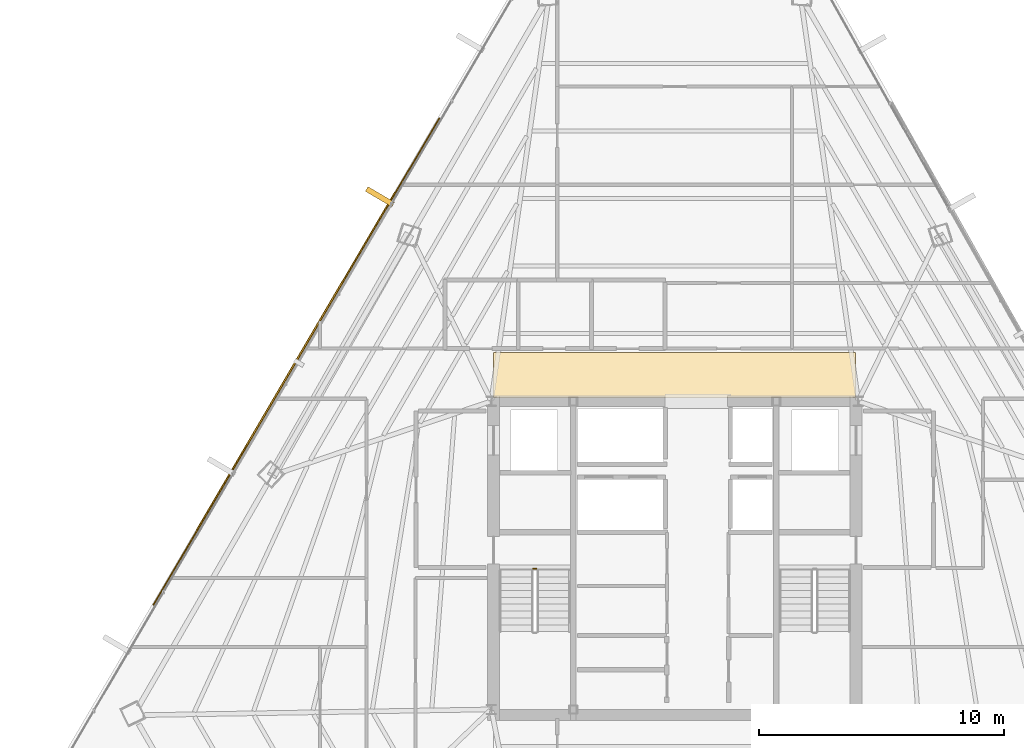
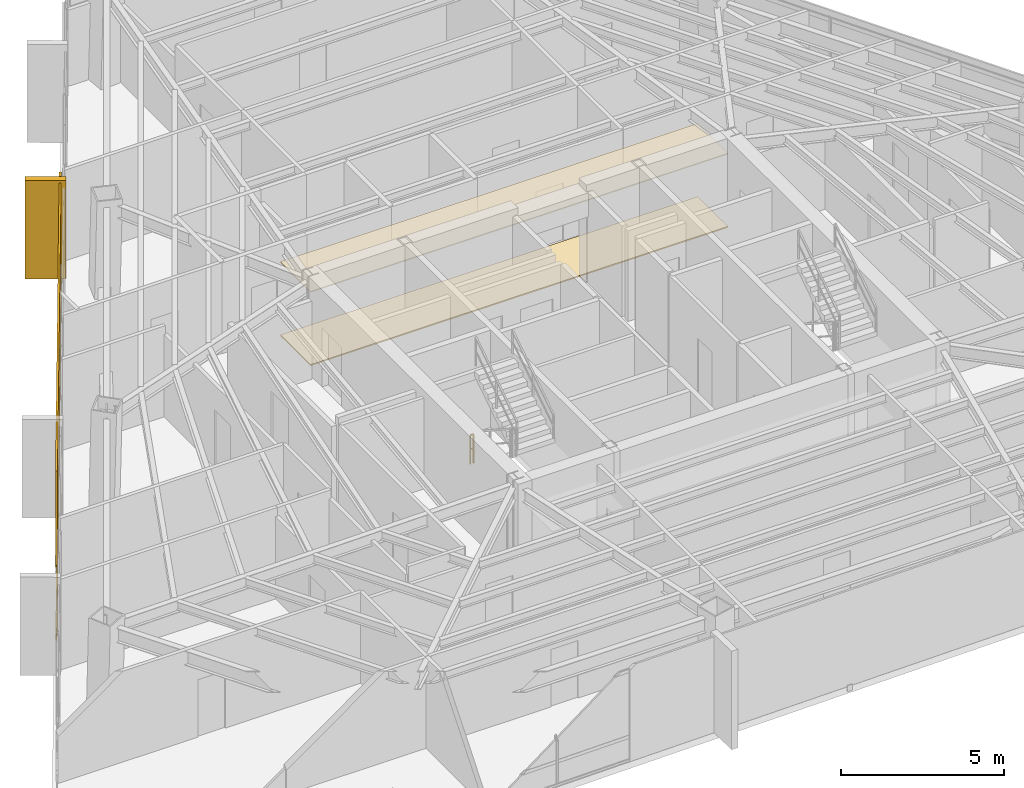
# One storey, part 42 of 44: 4 coverings, 1 railing, 1 shading device.
"""IFC4 building model written with IfcOpenShell, lengths in metres."""

from ifc_helpers import new_model, si_unit, direction, frame, origin, origin_2d, place, context, subcontext, project, spatial, polyline, rectangle, outline, extrude, source, transform, mapped, material, layer, layer_set, type_object, type_shapes, element, save


model = new_model("IFC4")

# Units and contexts
model_context = context("Model", 3, precision=1e-05, world=origin(), true_north=direction((0.0, 1.0)))
body_context = subcontext(model_context, "Body", "Model", "MODEL_VIEW")
ifc_project = project(units=[si_unit("LENGTHUNIT", "METRE"), si_unit("AREAUNIT", "SQUARE_METRE"), si_unit("VOLUMEUNIT", "CUBIC_METRE"), si_unit("PLANEANGLEUNIT", "RADIAN"), si_unit("MASSUNIT", "GRAM", prefix="KILO")], contexts=[model_context])

# Site, building, storey
site_placement = place(None, origin())
site = spatial("IfcSite", under=ifc_project, at=site_placement, CompositionType="ELEMENT")
building_placement = place(site_placement, origin())
building = spatial("IfcBuilding", under=site, at=building_placement, Name="Caelisora Broadcast Tower", CompositionType="ELEMENT")
storey_placement = place(building_placement, frame((0.0, 0.0, 198.64990234375)))
storey = spatial("IfcBuildingStorey", under=building, at=storey_placement, Name="L52", CompositionType="ELEMENT", Elevation=198.64990234375)

# Coverings
ifc_material_1 = material(Name="Perforated Mineral-Fibre Acoustic Ceiling Tile", Category="gypsum")
ifc_layer_1 = layer(ifc_material_1, 0.034912109375, Name="Perforated Mineral-Fibre Acoustic Ceiling Tile")
ifc_layer_set_1 = layer_set([ifc_layer_1], Name="Perforated Mineral-Fibre Acoustic Ceiling Tile")
covering_type_1 = type_object("IfcCoveringType", Name="CE-1", PredefinedType="CEILING", material=ifc_layer_set_1)
covering_1_placement = place(storey_placement, frame((0.0, 0.0, 2.75)))
element("IfcCovering", 1, at=covering_1_placement, inside=storey, type_object=covering_type_1, Name="L52 acoustic corridor ceiling CE-1 (N)", PredefinedType="CEILING", context=body_context, shape_type="SweptSolid", body=[
    extrude(outline(polyline([(30.60009765625, 30.14990234375), (45.39990234375, 30.14990234375), (45.39990234375, 32.0), (30.60009765625, 32.0), (30.60009765625, 30.14990234375)])), origin(), (0.0, 0.0, 1.0), 0.03515625),
])
ifc_material_2 = material(Name="Anti-Static Broadcast Raised Access Floor Panel", Category="steel")
ifc_layer_2 = layer(ifc_material_2, 0.044921875, Name="Anti-Static Broadcast Raised Access Floor Panel")
ifc_layer_set_2 = layer_set([ifc_layer_2], Name="Anti-Static Broadcast Raised Access Floor Panel")
covering_type_2 = type_object("IfcCoveringType", Name="FL-1", PredefinedType="FLOORING", material=ifc_layer_set_2)
covering_2_placement = place(storey_placement, origin())
element("IfcCovering", 2, at=covering_2_placement, inside=storey, type_object=covering_type_2, Name="L52 broadcast raised access floor FL-1 (N)", PredefinedType="FLOORING", context=body_context, shape_type="SweptSolid", body=[
    extrude(outline(polyline([(30.60009765625, 30.14990234375), (45.39990234375, 30.14990234375), (45.39990234375, 32.0), (30.60009765625, 32.0), (30.60009765625, 30.14990234375)])), origin(), (0.0, 0.0, 1.0), 0.045166015625),
])

# Railing
ifc_material_3 = material(Name="Galvanised Steel Safety Guardrail", Category="steel")
ifc_layer_3 = layer(ifc_material_3, 0.048095703125, Name="Galvanised Steel Safety Guardrail")
ifc_layer_set_3 = layer_set([ifc_layer_3], Name="Galvanised Steel Safety Guardrail")
railing_type = type_object("IfcRailingType", Name="GR-1", PredefinedType="GUARDRAIL", material=ifc_layer_set_3)
railing_placement = place(storey_placement, frame((32.219970703125, 23.14990234375, 0.0)))
element("IfcRailing", 3, at=railing_placement, inside=storey, type_object=railing_type, Name="L52 ST-1 stair guard 4", PredefinedType="GUARDRAIL", context=body_context, shape_type="SweptSolid", body=[
    extrude(rectangle(XDim=0.048095703125, YDim=0.048095703125, at=origin_2d()), frame((0.0, 0.0, 1.076171875), z_axis=(1.0, 0.0, 0.0), x_axis=(0.0, 1.0, 0.0)), (0.0, 0.0, 1.0), 0.1201171875),
    extrude(rectangle(XDim=0.03125, YDim=0.03125, at=origin_2d()), frame((0.0, 0.0, 0.550048828125), z_axis=(1.0, 0.0, 0.0), x_axis=(0.0, 1.0, 0.0)), (0.0, 0.0, 1.0), 0.1201171875),
    extrude(rectangle(XDim=0.0419921875, YDim=0.0419921875, at=origin_2d()), origin(), (0.0, 0.0, 1.0), 1.052001953125),
    extrude(rectangle(XDim=0.0419921875, YDim=0.0419921875, at=origin_2d()), frame((0.1201171875, 0.0, 0.0)), (0.0, 0.0, 1.0), 1.052001953125),
])

# Covering
ifc_material_4 = material(Name="Kiln-Fired Terracotta Spandrel Rainscreen Cladding", Category="ceramic")
ifc_layer_4 = layer(ifc_material_4, 0.044921875, Name="Kiln-Fired Terracotta Spandrel Rainscreen Cladding")
ifc_layer_set_4 = layer_set([ifc_layer_4], Name="Kiln-Fired Terracotta Spandrel Rainscreen Cladding")
covering_type_3 = type_object("IfcCoveringType", Name="CL-1", PredefinedType="CLADDING", material=ifc_layer_set_4)
shared_shape_1 = source(origin(), body_context, "Body", "SweptSolid", [
    extrude(rectangle(XDim=0.219970703125, YDim=1.25, at=origin_2d()), origin(), (0.0, 0.0, 1.0), 3.68994140625),
])
covering_3_placement = place(storey_placement, frame((25.943359375, 38.361083984375, -0.019775390625), z_axis=(0.0, 0.0, 1.0), x_axis=(0.506334807353, 0.862336977557, 0.0)))
element("IfcCovering", 4, at=covering_3_placement, inside=storey, type_object=covering_type_3, Name="L52 vertical solar fin cladding #3-3", PredefinedType="CLADDING", context=body_context, shape_type="MappedRepresentation", body=[
    mapped(shared_shape_1, transform((0.0, 0.0, 0.0), scale=1.0)),
])

# Shading device
ifc_material_5 = material(Name="Perforated Glazed Terracotta Baguette Solar Screen", Category="ceramic")
ifc_layer_5 = layer(ifc_material_5, 0.06494140625, Name="Perforated Glazed Terracotta Baguette Solar Screen")
ifc_layer_set_5 = layer_set([ifc_layer_5], Name="Perforated Glazed Terracotta Baguette Solar Screen")
shading_device_type = type_object("IfcShadingDeviceType", Name="SS-1", PredefinedType="USERDEFINED", material=ifc_layer_set_5)
shared_shape_2 = source(origin(), body_context, "Body", "SweptSolid", [
    extrude(rectangle(XDim=15.9951171875, YDim=0.06494140625, at=origin_2d()), origin(), (0.0, 0.0, 1.0), 3.590087890625),
])
type_shapes(shading_device_type, [shared_shape_2])
shading_device_placement = place(storey_placement, frame((22.514892578125, 31.63427734375, 0.0), z_axis=(0.0, 0.0, 1.0), x_axis=(-0.506334807353, -0.862336977557, 0.0)))
element("IfcShadingDevice", 5, at=shading_device_placement, inside=storey, type_object=shading_device_type, Name="L52 perforated terracotta solar screen #1", ObjectType="SOLAR SCREEN", PredefinedType="USERDEFINED", context=body_context, shape_type="MappedRepresentation", body=[
    mapped(shared_shape_2, transform((0.0, 0.0, 0.0), scale=1.0)),
])

# Covering
shared_shape_3 = source(origin(), body_context, "Body", "SweptSolid", [
    extrude(rectangle(XDim=23.10400390625, YDim=0.044921875, at=origin_2d()), origin(), (0.0, 0.0, 1.0), 0.340087890625),
])
type_shapes(covering_type_3, [shared_shape_1, shared_shape_3])
covering_4_placement = place(storey_placement, frame((22.5322265625, 31.6240234375, -0.27001953125), z_axis=(0.0, 0.0, 1.0), x_axis=(-0.506334807353, -0.862336977557, 0.0)))
element("IfcCovering", 6, at=covering_4_placement, inside=storey, type_object=covering_type_3, Name="L52 terracotta spandrel rainscreen #1", PredefinedType="CLADDING", context=body_context, shape_type="MappedRepresentation", body=[
    mapped(shared_shape_3, transform((0.0, 0.0, 0.0), scale=1.0)),
])

save(model, "model.ifc")
